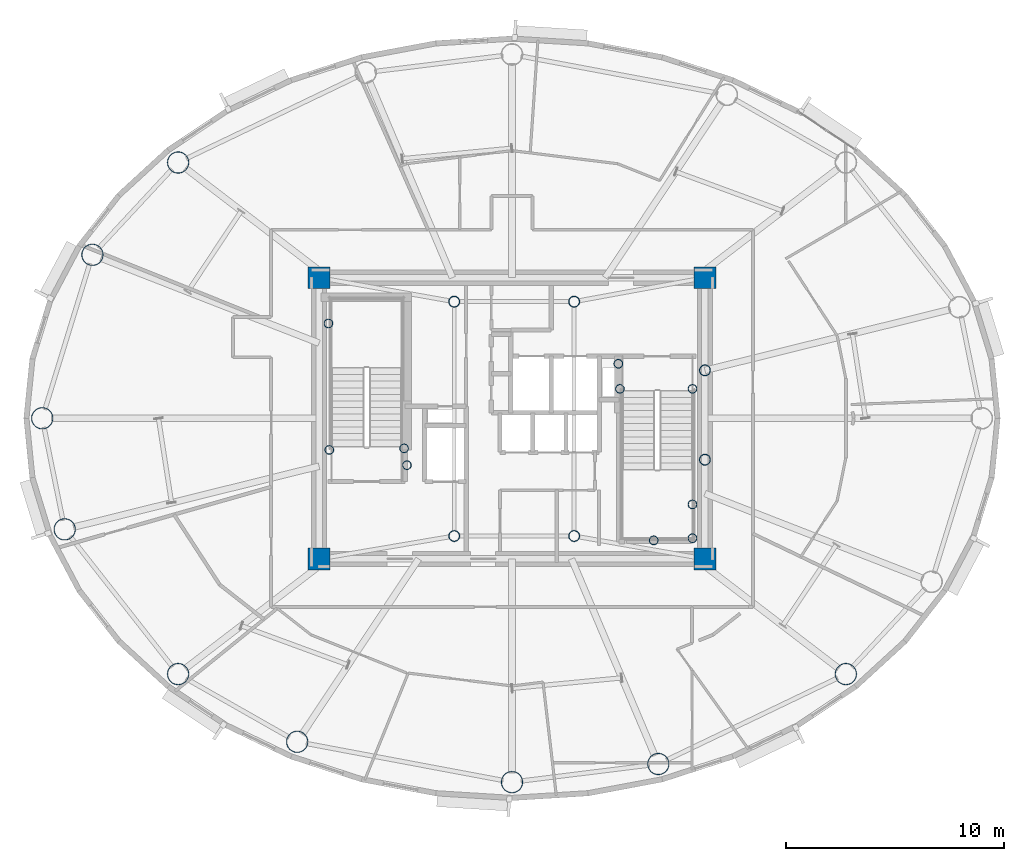
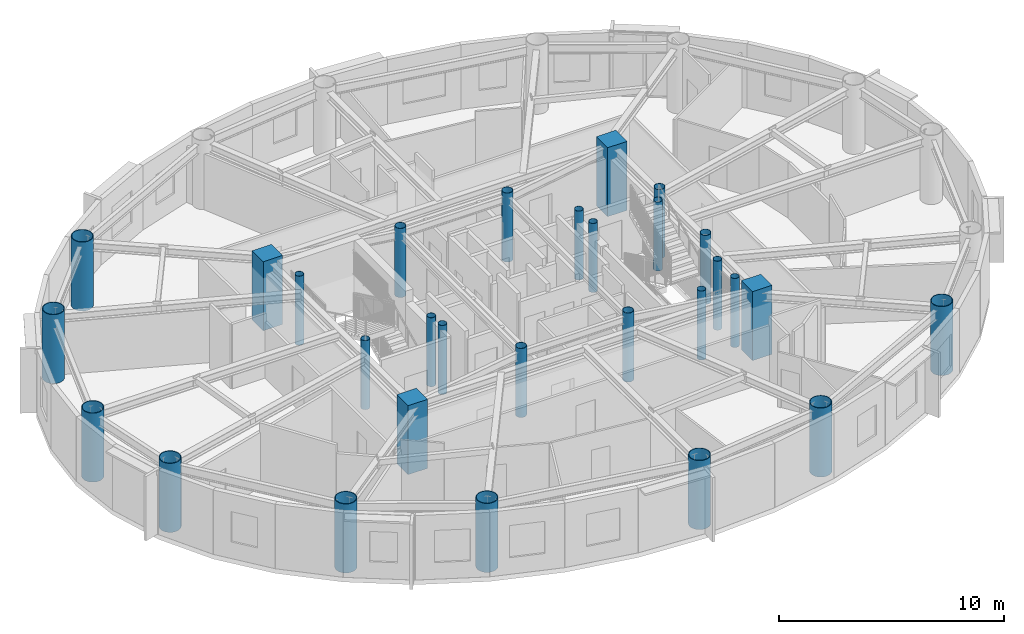
# One storey, part 1 of 17: 29 columns.
"""IFC4 building model written with IfcOpenShell, lengths in metres."""

from ifc_helpers import new_model, si_unit, direction, frame, origin, origin_2d, place, context, subcontext, project, spatial, rectangle, hollow_circle, extrude, material, material_profile, profile_set, type_object, element, save


model = new_model("IFC4")

# Units and contexts
model_context = context("Model", 3, precision=1e-05, world=origin(), true_north=direction((0.0, 1.0)))
body_context = subcontext(model_context, "Body", "Model", "MODEL_VIEW")
ifc_project = project(units=[si_unit("LENGTHUNIT", "METRE"), si_unit("AREAUNIT", "SQUARE_METRE"), si_unit("VOLUMEUNIT", "CUBIC_METRE"), si_unit("PLANEANGLEUNIT", "RADIAN"), si_unit("MASSUNIT", "GRAM", prefix="KILO")], contexts=[model_context])

# Site, building, storey
site_placement = place(None, origin())
site = spatial("IfcSite", under=ifc_project, at=site_placement, CompositionType="ELEMENT")
building_placement = place(site_placement, origin())
building = spatial("IfcBuilding", under=site, at=building_placement, Name="Linh Dai School and Residence Tower", CompositionType="ELEMENT")
storey_placement = place(building_placement, frame((0.0, 0.0, 310.5)))
storey = spatial("IfcBuildingStorey", under=building, at=storey_placement, Name="L77", CompositionType="ELEMENT", Elevation=310.5)

# Columns
ifc_material_1 = material(Name="Concrete B45 (C35/45)", Category="concrete")
ifc_material_profile_1 = material_profile(ifc_material_1, rectangle(XDim=1.0, YDim=1.0, at=origin_2d()), Name="RC 1000x1000")
ifc_profile_set_1 = profile_set([ifc_material_profile_1], Name="Concrete B45 (C35/45)")
column_type_1 = type_object("IfcColumnType", Name="COL-CC3", PredefinedType="COLUMN", material=ifc_profile_set_1)
for number, where, z_axis, x_axis, name in (
    (1, (27.14990234375, 20.550048828125, 0.0), (0.0, 0.0, 1.0), (1.0, 0.0, 0.0), "L77 Core Corner Pier CC1"),
    (2, (44.85009765625, 20.550048828125, 0.0), (0.0, 0.0, 1.0), (1.0, 0.0, 0.0), "L77 Core Corner Pier CC2"),
    (3, (44.85009765625, 33.449951171875, 0.0), (0.0, 0.0, 1.0), (1.0, 0.0, 0.0), "L77 Core Corner Pier CC3"),
    (4, (27.14990234375, 33.449951171875, 0.0), (0.0, 0.0, 1.0), (1.0, 0.0, 0.0), "L77 Core Corner Pier CC4"),
):
    element("IfcColumn", number, at=place(storey_placement, frame(where, z_axis=z_axis, x_axis=x_axis)), inside=storey, type_object=column_type_1, Name=name, PredefinedType="COLUMN", context=body_context, shape_type="SweptSolid", body=[
        extrude(rectangle(XDim=1.0, YDim=1.0, at=origin_2d()), origin(), (0.0, 0.0, 1.0), 3.75),
    ])
ifc_material_2 = material(Name="Structural Steel S355JR", Category="steel")
ifc_material_profile_2 = material_profile(ifc_material_2, hollow_circle(Radius=0.203125, WallThickness=0.01611328125, at=origin_2d()), Name="CHS 406.4x16")
ifc_profile_set_2 = profile_set([ifc_material_profile_2], Name="Structural Steel S355JR")
column_type_2 = type_object("IfcColumnType", Name="COL-EC", PredefinedType="COLUMN", material=ifc_profile_set_2)
for number, where, z_axis, x_axis, name in (
    (5, (27.580078125, 31.35009765625, 0.0), (0.0, 0.0, 1.0), (1.0, 0.0, 0.0), "L77 Stair Shaft Landing Support Pier ST1NW"),
    (6, (31.050048828125, 25.6201171875, 0.0), (0.0, 0.0, 1.0), (1.0, 0.0, 0.0), "L77 Stair Shaft Landing Support Pier ST1SE"),
    (7, (31.179931640625, 24.85009765625, 0.0), (0.0, 0.0, 1.0), (1.0, 0.0, 0.0), "L77 Stair Shaft Landing Support Pier ST1SM"),
    (8, (27.6201171875, 25.550048828125, 0.0), (0.0, 0.0, 1.0), (1.0, 0.0, 0.0), "L77 Stair Shaft Landing Support Pier ST1SW"),
    (9, (44.280029296875, 21.5, 0.0), (0.0, 0.0, 1.0), (1.0, 0.0, 0.0), "L77 Stair Shaft Landing Support Pier ST2SE"),
    (10, (44.280029296875, 23.050048828125, 0.0), (0.0, 0.0, 1.0), (1.0, 0.0, 0.0), "L77 Stair Shaft Landing Support Pier ST2NE"),
    (11, (42.5, 21.39990234375, 0.0), (0.0, 0.0, 1.0), (1.0, 0.0, 0.0), "L77 Stair Shaft Landing Support Pier ST2MS"),
    (12, (40.949951171875, 28.35009765625, 0.0), (0.0, 0.0, 1.0), (1.0, 0.0, 0.0), "L77 Stair Shaft Landing Support Pier ST2N1"),
    (13, (44.280029296875, 28.35009765625, 0.0), (0.0, 0.0, 1.0), (1.0, 0.0, 0.0), "L77 Stair Shaft Landing Support Pier ST2N2"),
    (14, (40.8798828125, 29.5, 0.0), (0.0, 0.0, 1.0), (1.0, 0.0, 0.0), "L77 Stair Shaft Landing Support Pier ST2N3"),
):
    element("IfcColumn", number, at=place(storey_placement, frame(where, z_axis=z_axis, x_axis=x_axis)), inside=storey, type_object=column_type_2, Name=name, PredefinedType="COLUMN", context=body_context, shape_type="SweptSolid", body=[
        extrude(hollow_circle(Radius=0.203125, WallThickness=0.01611328125, at=origin_2d()), origin(), (0.0, 0.0, 1.0), 3.75),
    ])
ifc_material_profile_3 = material_profile(ifc_material_2, hollow_circle(Radius=0.5, WallThickness=0.031982421875, at=origin_2d()), Name="CHS 1000x32")
ifc_profile_set_3 = profile_set([ifc_material_profile_3], Name="Structural Steel S355JR")
column_type_3 = type_object("IfcColumnType", Name="COL-MC6", PredefinedType="COLUMN", material=ifc_profile_set_3)
for number, where, z_axis, x_axis, name in (
    (15, (20.684814453125, 38.7333984375, 0.0), (0.0, 0.0, 1.0), (1.0, 0.0, 0.0), "L77 Perimeter CFT Mega-Column MC07"),
    (16, (16.75390625, 34.49951171875, 0.0), (0.0, 0.0, 1.0), (1.0, 0.0, 0.0), "L77 Perimeter CFT Mega-Column MC08"),
    (17, (14.449951171875, 27.0, 0.0), (0.0, 0.0, 1.0), (1.0, 0.0, 0.0), "L77 Perimeter CFT Mega-Column MC09"),
    (18, (15.4814453125, 21.905517578125, 0.0), (0.0, 0.0, 1.0), (1.0, 0.0, 0.0), "L77 Perimeter CFT Mega-Column MC10"),
    (19, (20.684814453125, 15.2666015625, 0.0), (0.0, 0.0, 1.0), (1.0, 0.0, 0.0), "L77 Perimeter CFT Mega-Column MC11"),
    (20, (26.1455078125, 12.1611328125, 0.0), (0.0, 0.0, 1.0), (1.0, 0.0, 0.0), "L77 Perimeter CFT Mega-Column MC12"),
    (21, (36.0, 10.31005859375, 0.0), (0.0, 0.0, 1.0), (1.0, 0.0, 0.0), "L77 Perimeter CFT Mega-Column MC13"),
    (22, (42.71240234375, 11.142333984375, 0.0), (0.0, 0.0, 1.0), (1.0, 0.0, 0.0), "L77 Perimeter CFT Mega-Column MC14"),
    (23, (51.315185546875, 15.2666015625, 0.0), (0.0, 0.0, 1.0), (1.0, 0.0, 0.0), "L77 Perimeter CFT Mega-Column MC15"),
):
    element("IfcColumn", number, at=place(storey_placement, frame(where, z_axis=z_axis, x_axis=x_axis)), inside=storey, type_object=column_type_3, Name=name, PredefinedType="COLUMN", context=body_context, shape_type="SweptSolid", body=[
        extrude(hollow_circle(Radius=0.5, WallThickness=0.031982421875, at=origin_2d()), origin(), (0.0, 0.0, 1.0), 3.75),
    ])
ifc_material_profile_4 = material_profile(ifc_material_2, hollow_circle(Radius=0.25390625, WallThickness=0.02001953125, at=origin_2d()), Name="CHS 508x20")
ifc_profile_set_4 = profile_set([ifc_material_profile_4], Name="Structural Steel S355JR")
column_type_4 = type_object("IfcColumnType", Name="COL-MCP", PredefinedType="COLUMN", material=ifc_profile_set_4)
for number, where, z_axis, x_axis, name in (
    (24, (33.35009765625, 21.60009765625, 0.0), (0.0, 0.0, 1.0), (1.0, 0.0, 0.0), "L77 Core Mast Support Pier MCP1"),
    (25, (38.85009765625, 21.60009765625, 0.0), (0.0, 0.0, 1.0), (1.0, 0.0, 0.0), "L77 Core Mast Support Pier MCP2"),
    (26, (38.85009765625, 32.35009765625, 0.0), (0.0, 0.0, 1.0), (1.0, 0.0, 0.0), "L77 Core Mast Support Pier MCP3"),
    (27, (33.35009765625, 32.35009765625, 0.0), (0.0, 0.0, 1.0), (1.0, 0.0, 0.0), "L77 Core Mast Support Pier MCP4"),
    (28, (44.85009765625, 25.10009765625, 0.0), (0.0, 0.0, 1.0), (1.0, 0.0, 0.0), "L77 Sky-Lounge Core Anchor Pier S"),
    (29, (44.85009765625, 29.199951171875, 0.0), (0.0, 0.0, 1.0), (1.0, 0.0, 0.0), "L77 Sky-Lounge Core Anchor Pier N"),
):
    element("IfcColumn", number, at=place(storey_placement, frame(where, z_axis=z_axis, x_axis=x_axis)), inside=storey, type_object=column_type_4, Name=name, PredefinedType="COLUMN", context=body_context, shape_type="SweptSolid", body=[
        extrude(hollow_circle(Radius=0.25390625, WallThickness=0.02001953125, at=origin_2d()), origin(), (0.0, 0.0, 1.0), 3.75),
    ])

save(model, "model.ifc")
